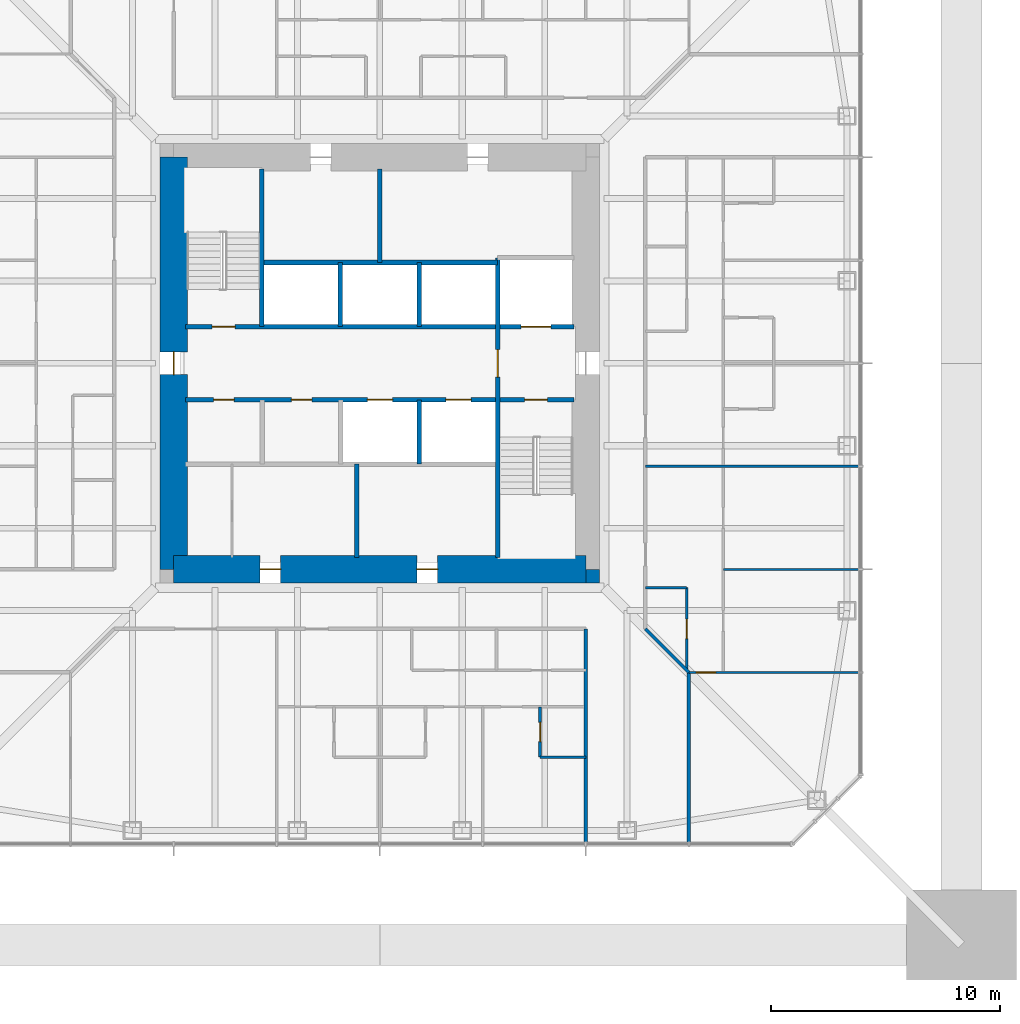
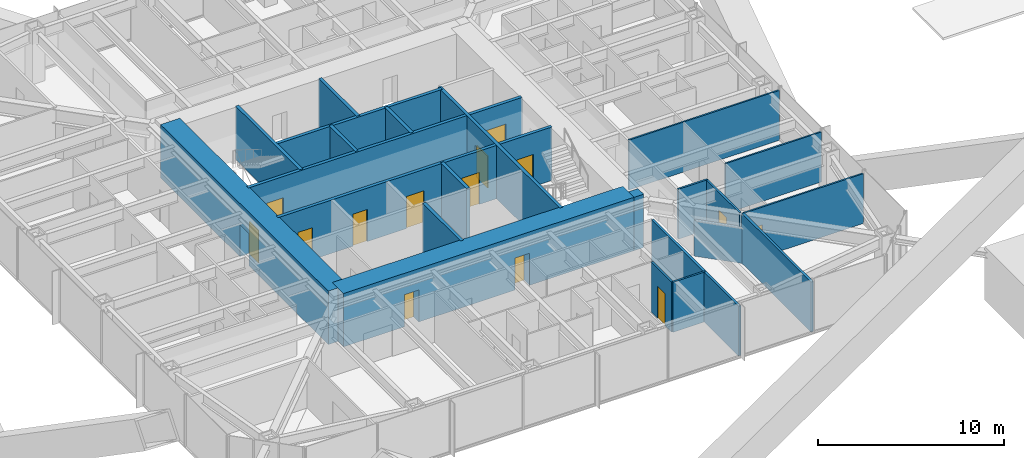
# One storey, part 11 of 17: 23 walls, 14 doors, 14 openings.
"""IFC4 building model written with IfcOpenShell, lengths in metres."""

from ifc_helpers import new_model, si_unit, direction, frame, frame_2d, origin, place, context, subcontext, project, spatial, rectangle, extrude, material, layer, layer_set, type_object, element, fill, save


model = new_model("IFC4")

# Units and contexts
model_context = context("Model", 3, precision=1e-05, world=origin(), true_north=direction((0.0, 1.0)))
body_context = subcontext(model_context, "Body", "Model", "MODEL_VIEW")
ifc_project = project(units=[si_unit("LENGTHUNIT", "METRE"), si_unit("AREAUNIT", "SQUARE_METRE"), si_unit("VOLUMEUNIT", "CUBIC_METRE"), si_unit("PLANEANGLEUNIT", "RADIAN"), si_unit("MASSUNIT", "GRAM", prefix="KILO")], contexts=[model_context])

# Site, building, storey
site_placement = place(None, origin())
site = spatial("IfcSite", under=ifc_project, at=site_placement, CompositionType="ELEMENT")
building_placement = place(site_placement, origin())
building = spatial("IfcBuilding", under=site, at=building_placement, Name="Iwan Alto Co-Living Towers", CompositionType="ELEMENT")
storey_placement = place(building_placement, frame((0.0, 0.0, 133.0)))
storey = spatial("IfcBuildingStorey", under=building, at=storey_placement, Name="L36", CompositionType="ELEMENT", Elevation=133.0)

# Walls
ifc_material_1 = material(Name="Gypsum board")
ifc_layer_1 = layer(ifc_material_1, 0.02490234375, Name="Board", Category="Finish")
ifc_material_2 = material(Name="Steel ASTM A1003 ST33H cold-formed studs", Category="steel")
ifc_layer_2 = layer(ifc_material_2, 0.10009765625, Name="Studs", Category="Framing")
ifc_layer_3 = layer(ifc_material_1, 0.02490234375, Name="Board", Category="Finish")
ifc_layer_set_1 = layer_set([ifc_layer_1, ifc_layer_2, ifc_layer_3], Name="CORRIDOR WALL 150")
wall_type_1 = type_object("IfcWallType", Name="CORRIDOR WALL 150", PredefinedType="PARTITIONING", material=ifc_layer_set_1)
wall_1_placement = place(storey_placement, frame((13.5, -20.93994140625, 0.0), z_axis=(0.0, 0.0, 1.0), x_axis=(0.0, 1.0, 0.0)))
element("IfcWall", 1, at=wall_1_placement, inside=storey, type_object=wall_type_1, Name="Partition L36", PredefinedType="PARTITIONING", context=body_context, shape_type="SweptSolid", body=[
    extrude(rectangle(XDim=7.43994140625, YDim=0.14990234375, at=frame_2d((3.719970703125, 0.0))), origin(), (0.0, 0.0, 1.0), 3.27001953125),
])
wall_2_placement = place(storey_placement, frame((9.0, -20.93994140625, 0.0), z_axis=(0.0, 0.0, 1.0), x_axis=(0.0, 1.0, 0.0)))
element("IfcWall", 2, at=wall_2_placement, inside=storey, type_object=wall_type_1, Name="Partition L36", PredefinedType="PARTITIONING", context=body_context, shape_type="SweptSolid", body=[
    extrude(rectangle(XDim=9.33984375, YDim=0.14990234375, at=frame_2d((4.669921875, 0.0))), origin(), (0.0, 0.0, 1.0), 3.27001953125),
])
wall_3_placement = place(storey_placement, frame((13.5, -13.5, 0.0), z_axis=(0.0, 0.0, 1.0), x_axis=(-0.707106781187, 0.707106781187, 0.0)))
element("IfcWall", 3, at=wall_3_placement, inside=storey, type_object=wall_type_1, Name="Partition L36", PredefinedType="PARTITIONING", context=body_context, shape_type="SweptSolid", body=[
    extrude(rectangle(XDim=2.686767578125, YDim=0.14990234375, at=frame_2d((1.34326171875, 0.0))), origin(), (0.0, 0.0, 1.0), 2.343017578125),
])

# Wall, opening, door
ifc_layer_4 = layer(ifc_material_1, 0.012451171875, Name="Board", Category="Finish")
ifc_layer_5 = layer(ifc_material_2, 0.074951171875, Name="Studs", Category="Framing")
ifc_layer_6 = layer(ifc_material_1, 0.012451171875, Name="Board", Category="Finish")
ifc_layer_set_2 = layer_set([ifc_layer_4, ifc_layer_5, ifc_layer_6], Name="PARTITION 100")
wall_type_2 = type_object("IfcWallType", Name="PARTITION 100", PredefinedType="PARTITIONING", material=ifc_layer_set_2)
wall_4_placement = place(storey_placement, frame((13.5, -13.5, 0.0), z_axis=(0.0, 0.0, 1.0), x_axis=(1.0, 0.0, 0.0)))
wall_4 = element("IfcWall", 4, at=wall_4_placement, inside=storey, type_object=wall_type_2, Name="Partition L36", PredefinedType="PARTITIONING", context=body_context, shape_type="SweptSolid", body=[
    extrude(rectangle(XDim=7.43994140625, YDim=0.10009765625, at=frame_2d((3.719970703125, 0.0))), origin(), (0.0, 0.0, 1.0), 3.27001953125),
])
opening_1_placement = place(wall_4_placement, frame((0.324951171875, 0.0, 0.0)))
opening_1 = element("IfcOpeningElement", 5, at=opening_1_placement, cuts=wall_4, Name="Opening D2", PredefinedType="OPENING", context=body_context, shape_type="SweptSolid", body=[
    extrude(rectangle(XDim=0.85009765625, YDim=2.10009765625, at=frame_2d((0.425048828125, 1.050048828125))), frame((0.0, 0.06005859375, 0.0), z_axis=(0.0, -1.0, 0.0), x_axis=(1.0, 0.0, 0.0)), (0.0, 0.0, 1.0), 0.1201171875),
])
ifc_material_3 = material(Name="Timber leaf in steel frame", Category="steel")
door_type_1 = type_object("IfcDoorType", Name="ROOM DOOR 850X2100", OperationType="SINGLE_SWING_LEFT", PredefinedType="DOOR", material=ifc_material_3)
door_1_placement = place(opening_1_placement, frame((0.85009765625, 0.0, 0.0), z_axis=(0.0, 0.0, 1.0), x_axis=(-1.0, 0.0, 0.0)))
door_1 = element("IfcDoor", 6, at=door_1_placement, inside=storey, type_object=door_type_1, Name="Shared kitchen and lounge door L36", OperationType="SINGLE_SWING_RIGHT", OverallHeight=2.10009765625, OverallWidth=0.85009765625, PredefinedType="DOOR", context=body_context, shape_type="SweptSolid", body=[
    extrude(rectangle(XDim=0.85009765625, YDim=2.10009765625, at=frame_2d((0.425048828125, 1.050048828125))), frame((0.0, 0.02490234375, 0.0), z_axis=(0.0, -1.0, 0.0), x_axis=(1.0, 0.0, 0.0)), (0.0, 0.0, 1.0), 0.050048828125),
])
fill(opening_1, door_1)

# Walls
wall_5_placement = place(storey_placement, frame((15.0, -9.0, 0.0), z_axis=(0.0, 0.0, 1.0), x_axis=(1.0, 0.0, 0.0)))
element("IfcWall", 7, at=wall_5_placement, inside=storey, type_object=wall_type_2, Name="Partition L36", PredefinedType="PARTITIONING", context=body_context, shape_type="SweptSolid", body=[
    extrude(rectangle(XDim=5.93994140625, YDim=0.10009765625, at=frame_2d((2.969970703125, 0.0))), origin(), (0.0, 0.0, 1.0), 3.27001953125),
])
wall_6_placement = place(storey_placement, frame((11.60009765625, -4.5, 0.0), z_axis=(0.0, 0.0, 1.0), x_axis=(1.0, 0.0, 0.0)))
element("IfcWall", 8, at=wall_6_placement, inside=storey, type_object=wall_type_2, Name="Partition L36", PredefinedType="PARTITIONING", context=body_context, shape_type="SweptSolid", body=[
    extrude(rectangle(XDim=9.33984375, YDim=0.10009765625, at=frame_2d((4.669921875, 0.0))), origin(), (0.0, 0.0, 1.0), 3.27001953125),
])

# Wall, openings, doors
ifc_material_4 = material(Name="Concrete f'c 70 MPa", Category="concrete")
ifc_layer_7 = layer(ifc_material_4, 0.199951171875)
ifc_layer_set_3 = layer_set([ifc_layer_7], Name="SHAFT WALL 200")
wall_type_3 = type_object("IfcWallType", Name="SHAFT WALL 200", PredefinedType="SOLIDWALL", material=ifc_layer_set_3)
wall_7_placement = place(storey_placement, frame((-8.489990234375, -1.60009765625, 0.0), z_axis=(0.0, 0.0, 1.0), x_axis=(1.0, 0.0, 0.0)))
wall_7 = element("IfcWall", 9, at=wall_7_placement, inside=storey, type_object=wall_type_3, Name="Shaft wall L36", PredefinedType="SOLIDWALL", context=body_context, shape_type="SweptSolid", body=[
    extrude(rectangle(XDim=16.97998046875, YDim=0.199951171875, at=frame_2d((8.489990234375, 0.0))), origin(), (0.0, 0.0, 1.0), 3.5),
])
opening_2_placement = place(wall_7_placement, frame((14.81005859375, 0.0, 0.0)))
opening_2 = element("IfcOpeningElement", 10, at=opening_2_placement, cuts=wall_7, Name="Opening D5", PredefinedType="OPENING", context=body_context, shape_type="SweptSolid", body=[
    extrude(rectangle(XDim=1.0, YDim=2.10009765625, at=frame_2d((0.5, 1.050048828125))), frame((0.0, 0.10986328125, 0.0), z_axis=(0.0, -1.0, 0.0), x_axis=(1.0, 0.0, 0.0)), (0.0, 0.0, 1.0), 0.219970703125),
])
opening_3_placement = place(wall_7_placement, frame((1.23193359375, 0.0, 0.0)))
opening_3 = element("IfcOpeningElement", 11, at=opening_3_placement, cuts=wall_7, Name="Opening D15", PredefinedType="OPENING", context=body_context, shape_type="SweptSolid", body=[
    extrude(rectangle(XDim=0.89990234375, YDim=2.10009765625, at=frame_2d((0.449951171875, 1.050048828125))), frame((0.0, 0.10986328125, 0.0), z_axis=(0.0, -1.0, 0.0), x_axis=(1.0, 0.0, 0.0)), (0.0, 0.0, 1.0), 0.219970703125),
])
opening_4_placement = place(wall_7_placement, frame((4.626953125, 0.0, 0.0)))
opening_4 = element("IfcOpeningElement", 12, at=opening_4_placement, cuts=wall_7, Name="Opening D15", PredefinedType="OPENING", context=body_context, shape_type="SweptSolid", body=[
    extrude(rectangle(XDim=0.89990234375, YDim=2.10009765625, at=frame_2d((0.449951171875, 1.050048828125))), frame((0.0, 0.10986328125, 0.0), z_axis=(0.0, -1.0, 0.0), x_axis=(1.0, 0.0, 0.0)), (0.0, 0.0, 1.0), 0.219970703125),
])
opening_5_placement = place(wall_7_placement, frame((7.952880859375, 0.0, 0.0)))
opening_5 = element("IfcOpeningElement", 13, at=opening_5_placement, cuts=wall_7, Name="Opening LD", PredefinedType="OPENING", context=body_context, shape_type="SweptSolid", body=[
    extrude(rectangle(XDim=1.10009765625, YDim=2.10009765625, at=frame_2d((0.550048828125, 1.050048828125))), frame((0.0, 0.10986328125, 0.0), z_axis=(0.0, -1.0, 0.0), x_axis=(1.0, 0.0, 0.0)), (0.0, 0.0, 1.0), 0.219970703125),
])
opening_6_placement = place(wall_7_placement, frame((11.3779296875, 0.0, 0.0)))
opening_6 = element("IfcOpeningElement", 14, at=opening_6_placement, cuts=wall_7, Name="Opening LD", PredefinedType="OPENING", context=body_context, shape_type="SweptSolid", body=[
    extrude(rectangle(XDim=1.10009765625, YDim=2.10009765625, at=frame_2d((0.550048828125, 1.050048828125))), frame((0.0, 0.10986328125, 0.0), z_axis=(0.0, -1.0, 0.0), x_axis=(1.0, 0.0, 0.0)), (0.0, 0.0, 1.0), 0.219970703125),
])
ifc_material_5 = material(Name="Steel frame with timber leaf", Category="steel")
door_type_2 = type_object("IfcDoorType", Name="CORE ROOM DOOR FD60S 900X2100", OperationType="SINGLE_SWING_LEFT", PredefinedType="DOOR", material=ifc_material_5)
door_2_placement = place(opening_3_placement, frame((0.89990234375, 0.0, 0.0), z_axis=(0.0, 0.0, 1.0), x_axis=(-1.0, 0.0, 0.0)))
door_2 = element("IfcDoor", 15, at=door_2_placement, inside=storey, type_object=door_type_2, Name="Guest pantry door L36", OperationType="SINGLE_SWING_LEFT", OverallHeight=2.10009765625, OverallWidth=0.89990234375, PredefinedType="DOOR", context=body_context, shape_type="SweptSolid", body=[
    extrude(rectangle(XDim=0.89990234375, YDim=2.10009765625, at=frame_2d((0.449951171875, 1.050048828125))), frame((0.0, 0.02490234375, 0.0), z_axis=(0.0, -1.0, 0.0), x_axis=(1.0, 0.0, 0.0)), (0.0, 0.0, 1.0), 0.050048828125),
])
fill(opening_3, door_2)
door_3_placement = place(opening_4_placement, frame((0.89990234375, 0.0, 0.0), z_axis=(0.0, 0.0, 1.0), x_axis=(-1.0, 0.0, 0.0)))
door_3 = element("IfcDoor", 16, at=door_3_placement, inside=storey, type_object=door_type_2, Name="Staff WC door L36", OperationType="SINGLE_SWING_RIGHT", OverallHeight=2.10009765625, OverallWidth=0.89990234375, PredefinedType="DOOR", context=body_context, shape_type="SweptSolid", body=[
    extrude(rectangle(XDim=0.89990234375, YDim=2.10009765625, at=frame_2d((0.449951171875, 1.050048828125))), frame((0.0, 0.02490234375, 0.0), z_axis=(0.0, -1.0, 0.0), x_axis=(1.0, 0.0, 0.0)), (0.0, 0.0, 1.0), 0.050048828125),
])
fill(opening_4, door_3)
ifc_material_6 = material(Name="Steel frame with timber leaf", Category="steel")
door_type_3 = type_object("IfcDoorType", Name="LIFT LANDING DOOR 1100X2100", OperationType="DOUBLE_DOOR_SLIDING", PredefinedType="DOOR", material=ifc_material_6)
door_4_placement = place(opening_5_placement, origin())
door_4 = element("IfcDoor", 17, at=door_4_placement, inside=storey, type_object=door_type_3, Name="Lift P2-3 landing door L36", OperationType="DOUBLE_DOOR_SLIDING", OverallHeight=2.10009765625, OverallWidth=1.10009765625, PredefinedType="DOOR", context=body_context, shape_type="SweptSolid", body=[
    extrude(rectangle(XDim=1.10009765625, YDim=2.10009765625, at=frame_2d((0.550048828125, 1.050048828125))), frame((0.0, 0.02490234375, 0.0), z_axis=(0.0, -1.0, 0.0), x_axis=(1.0, 0.0, 0.0)), (0.0, 0.0, 1.0), 0.050048828125),
])
fill(opening_5, door_4)
door_5_placement = place(opening_6_placement, origin())
door_5 = element("IfcDoor", 18, at=door_5_placement, inside=storey, type_object=door_type_3, Name="Lift P2-4 landing door L36", OperationType="DOUBLE_DOOR_SLIDING", OverallHeight=2.10009765625, OverallWidth=1.10009765625, PredefinedType="DOOR", context=body_context, shape_type="SweptSolid", body=[
    extrude(rectangle(XDim=1.10009765625, YDim=2.10009765625, at=frame_2d((0.550048828125, 1.050048828125))), frame((0.0, 0.02490234375, 0.0), z_axis=(0.0, -1.0, 0.0), x_axis=(1.0, 0.0, 0.0)), (0.0, 0.0, 1.0), 0.050048828125),
])
fill(opening_6, door_5)
ifc_material_7 = material(Name="Steel frame with timber leaf", Category="steel")
door_type_4 = type_object("IfcDoorType", Name="STAIR DOOR FD120S 1000X2100", OperationType="SINGLE_SWING_LEFT", PredefinedType="DOOR", material=ifc_material_7)
door_6_placement = place(opening_2_placement, frame((1.0, 0.0, 0.0), z_axis=(0.0, 0.0, 1.0), x_axis=(-1.0, 0.0, 0.0)))
door_6 = element("IfcDoor", 19, at=door_6_placement, inside=storey, type_object=door_type_4, Name="Stair S2 door L36", OperationType="SINGLE_SWING_RIGHT", OverallHeight=2.10009765625, OverallWidth=1.0, PredefinedType="DOOR", context=body_context, shape_type="SweptSolid", body=[
    extrude(rectangle(XDim=1.0, YDim=2.10009765625, at=frame_2d((0.5, 1.050048828125))), frame((0.0, 0.02490234375, 0.0), z_axis=(0.0, -1.0, 0.0), x_axis=(1.0, 0.0, 0.0)), (0.0, 0.0, 1.0), 0.050048828125),
])
fill(opening_2, door_6)

wall_8_placement = place(storey_placement, frame((-8.489990234375, 1.60009765625, 0.0), z_axis=(0.0, 0.0, 1.0), x_axis=(1.0, 0.0, 0.0)))
wall_8 = element("IfcWall", 20, at=wall_8_placement, inside=storey, type_object=wall_type_3, Name="Shaft wall L36", PredefinedType="SOLIDWALL", context=body_context, shape_type="SweptSolid", body=[
    extrude(rectangle(XDim=16.97998046875, YDim=0.199951171875, at=frame_2d((8.489990234375, 0.0))), origin(), (0.0, 0.0, 1.0), 3.5),
])
opening_7_placement = place(wall_8_placement, frame((1.169921875, 0.0, 0.0)))
opening_7 = element("IfcOpeningElement", 21, at=opening_7_placement, cuts=wall_8, Name="Opening D5", PredefinedType="OPENING", context=body_context, shape_type="SweptSolid", body=[
    extrude(rectangle(XDim=1.0, YDim=2.10009765625, at=frame_2d((0.5, 1.050048828125))), frame((0.0, 0.10986328125, 0.0), z_axis=(0.0, -1.0, 0.0), x_axis=(1.0, 0.0, 0.0)), (0.0, 0.0, 1.0), 0.219970703125),
])
opening_8_placement = place(wall_8_placement, frame((14.659912109375, 0.0, 0.0)))
opening_8 = element("IfcOpeningElement", 22, at=opening_8_placement, cuts=wall_8, Name="Opening LD2", PredefinedType="OPENING", context=body_context, shape_type="SweptSolid", body=[
    extrude(rectangle(XDim=1.300048828125, YDim=2.10009765625, at=frame_2d((0.64990234375, 1.050048828125))), frame((0.0, 0.10986328125, 0.0), z_axis=(0.0, -1.0, 0.0), x_axis=(1.0, 0.0, 0.0)), (0.0, 0.0, 1.0), 0.219970703125),
])
ifc_material_8 = material(Name="Steel frame with timber leaf", Category="steel")
door_type_5 = type_object("IfcDoorType", Name="LIFT LANDING DOOR 1300X2100", OperationType="SLIDING_TO_LEFT", PredefinedType="DOOR", material=ifc_material_8)
door_7_placement = place(opening_8_placement, origin())
door_7 = element("IfcDoor", 23, at=door_7_placement, inside=storey, type_object=door_type_5, Name="Lift FL1 landing door L36", OperationType="SLIDING_TO_LEFT", OverallHeight=2.10009765625, OverallWidth=1.300048828125, PredefinedType="DOOR", context=body_context, shape_type="SweptSolid", body=[
    extrude(rectangle(XDim=1.300048828125, YDim=2.10009765625, at=frame_2d((0.64990234375, 1.050048828125))), frame((0.0, 0.02490234375, 0.0), z_axis=(0.0, -1.0, 0.0), x_axis=(1.0, 0.0, 0.0)), (0.0, 0.0, 1.0), 0.050048828125),
])
fill(opening_8, door_7)
door_8_placement = place(opening_7_placement, origin())
door_8 = element("IfcDoor", 24, at=door_8_placement, inside=storey, type_object=door_type_4, Name="Stair S1 door L36", OperationType="SINGLE_SWING_RIGHT", OverallHeight=2.10009765625, OverallWidth=1.0, PredefinedType="DOOR", context=body_context, shape_type="SweptSolid", body=[
    extrude(rectangle(XDim=1.0, YDim=2.10009765625, at=frame_2d((0.5, 1.050048828125))), frame((0.0, 0.02490234375, 0.0), z_axis=(0.0, -1.0, 0.0), x_axis=(1.0, 0.0, 0.0)), (0.0, 0.0, 1.0), 0.050048828125),
])
fill(opening_7, door_8)

# Wall
wall_9_placement = place(storey_placement, frame((-5.14990234375, 4.39990234375, 0.0), z_axis=(0.0, 0.0, 1.0), x_axis=(1.0, 0.0, 0.0)))
element("IfcWall", 25, at=wall_9_placement, inside=storey, type_object=wall_type_3, Name="Shaft wall L36", PredefinedType="SOLIDWALL", context=body_context, shape_type="SweptSolid", body=[
    extrude(rectangle(XDim=10.2998046875, YDim=0.199951171875, at=frame_2d((5.14990234375, 0.0))), origin(), (0.0, 0.0, 1.0), 3.5),
])

# Wall, opening, door
wall_10_placement = place(storey_placement, frame((5.14990234375, -8.489990234375, 0.0), z_axis=(0.0, 0.0, 1.0), x_axis=(0.0, 1.0, 0.0)))
wall_10 = element("IfcWall", 26, at=wall_10_placement, inside=storey, type_object=wall_type_3, Name="Shaft wall L36", PredefinedType="SOLIDWALL", context=body_context, shape_type="SweptSolid", body=[
    extrude(rectangle(XDim=13.090087890625, YDim=0.199951171875, at=frame_2d((6.544921875, 0.0))), origin(), (0.0, 0.0, 1.0), 3.5),
])
opening_9_placement = place(wall_10_placement, frame((7.889892578125, 0.0, 0.0)))
opening_9 = element("IfcOpeningElement", 27, at=opening_9_placement, cuts=wall_10, Name="Opening D6", PredefinedType="OPENING", context=body_context, shape_type="SweptSolid", body=[
    extrude(rectangle(XDim=1.199951171875, YDim=2.10009765625, at=frame_2d((0.60009765625, 1.050048828125))), frame((0.0, 0.10986328125, 0.0), z_axis=(0.0, -1.0, 0.0), x_axis=(1.0, 0.0, 0.0)), (0.0, 0.0, 1.0), 0.219970703125),
])
ifc_material_9 = material(Name="Steel frame with timber leaf", Category="steel")
door_type_6 = type_object("IfcDoorType", Name="LOBBY DOOR FD120S 1200X2100", OperationType="SINGLE_SWING_LEFT", PredefinedType="DOOR", material=ifc_material_9)
door_9_placement = place(opening_9_placement, frame((1.199951171875, 0.0, 0.0), z_axis=(0.0, 0.0, 1.0), x_axis=(-1.0, 0.0, 0.0)))
door_9 = element("IfcDoor", 28, at=door_9_placement, inside=storey, type_object=door_type_6, Name="Firefighting lobby door L36", OperationType="SINGLE_SWING_RIGHT", OverallHeight=2.10009765625, OverallWidth=1.199951171875, PredefinedType="DOOR", context=body_context, shape_type="SweptSolid", body=[
    extrude(rectangle(XDim=1.199951171875, YDim=2.10009765625, at=frame_2d((0.60009765625, 1.050048828125))), frame((0.0, 0.02490234375, 0.0), z_axis=(0.0, -1.0, 0.0), x_axis=(1.0, 0.0, 0.0)), (0.0, 0.0, 1.0), 0.050048828125),
])
fill(opening_9, door_9)

# Walls
for number, where, z_axis, x_axis, name in (
    (29, (1.72509765625, -4.39990234375, 0.0), (0.0, 0.0, 1.0), (0.0, 1.0, 0.0), "Shaft wall L36"),
    (30, (1.717041015625, 1.60009765625, 0.0), (0.0, 0.0, 1.0), (0.0, 1.0, 0.0), "Shaft wall L36"),
):
    element("IfcWall", number, at=place(storey_placement, frame(where, z_axis=z_axis, x_axis=x_axis)), inside=storey, type_object=wall_type_3, Name=name, PredefinedType="SOLIDWALL", context=body_context, shape_type="SweptSolid", body=[
        extrude(rectangle(XDim=2.7998046875, YDim=0.199951171875, at=frame_2d((1.39990234375, 0.0))), origin(), (0.0, 0.0, 1.0), 3.5),
    ])
for number, where, z_axis, x_axis, name in (
    (31, (0.0, 4.39990234375, 0.0), (0.0, 0.0, 1.0), (0.0, 1.0, 0.0), "Shaft wall L36"),
    (32, (-1.0, -8.489990234375, 0.0), (0.0, 0.0, 1.0), (0.0, 1.0, 0.0), "Shaft wall L36"),
):
    element("IfcWall", number, at=place(storey_placement, frame(where, z_axis=z_axis, x_axis=x_axis)), inside=storey, type_object=wall_type_3, Name=name, PredefinedType="SOLIDWALL", context=body_context, shape_type="SweptSolid", body=[
        extrude(rectangle(XDim=4.090087890625, YDim=0.199951171875, at=frame_2d((2.044921875, 0.0))), origin(), (0.0, 0.0, 1.0), 3.5),
    ])
wall_11_placement = place(storey_placement, frame((-1.717041015625, 1.60009765625, 0.0), z_axis=(0.0, 0.0, 1.0), x_axis=(0.0, 1.0, 0.0)))
element("IfcWall", 33, at=wall_11_placement, inside=storey, type_object=wall_type_3, Name="Shaft wall L36", PredefinedType="SOLIDWALL", context=body_context, shape_type="SweptSolid", body=[
    extrude(rectangle(XDim=2.7998046875, YDim=0.199951171875, at=frame_2d((1.39990234375, 0.0))), origin(), (0.0, 0.0, 1.0), 3.5),
])
wall_12_placement = place(storey_placement, frame((-5.14990234375, 1.60009765625, 0.0), z_axis=(0.0, 0.0, 1.0), x_axis=(0.0, 1.0, 0.0)))
element("IfcWall", 34, at=wall_12_placement, inside=storey, type_object=wall_type_3, Name="Shaft wall L36", PredefinedType="SOLIDWALL", context=body_context, shape_type="SweptSolid", body=[
    extrude(rectangle(XDim=6.889892578125, YDim=0.199951171875, at=frame_2d((3.44482421875, 0.0))), origin(), (0.0, 0.0, 1.0), 3.5),
])
ifc_material_10 = material(Name="Concrete f'c 70 MPa", Category="concrete")
ifc_layer_8 = layer(ifc_material_10, 0.60009765625)
ifc_layer_set_4 = layer_set([ifc_layer_8], Name="T1 CORE CORNER FILL 600")
wall_type_4 = type_object("IfcWallType", Name="T1 CORE CORNER FILL 600", PredefinedType="SOLIDWALL", material=ifc_layer_set_4)
wall_13_placement = place(storey_placement, frame((9.0, -9.300048828125, 0.0), z_axis=(0.0, 0.0, 1.0), x_axis=(1.0, 0.0, 0.0)))
element("IfcWall", 35, at=wall_13_placement, inside=storey, type_object=wall_type_4, Name="T1 core corner SE L36", PredefinedType="SOLIDWALL", context=body_context, shape_type="SweptSolid", body=[
    extrude(rectangle(XDim=0.60009765625, YDim=0.60009765625, at=frame_2d((0.300048828125, 0.0))), origin(), (0.0, 0.0, 1.0), 3.5),
])

# Wall, openings, doors
ifc_material_11 = material(Name="Concrete f'c 70 MPa", Category="concrete")
ifc_layer_9 = layer(ifc_material_11, 1.199951171875)
ifc_layer_set_5 = layer_set([ifc_layer_9], Name="T1 CORE WALL 1200")
wall_type_5 = type_object("IfcWallType", Name="T1 CORE WALL 1200", PredefinedType="SHEAR", material=ifc_layer_set_5)
wall_14_placement = place(storey_placement, frame((-9.0, -9.0, 0.0), z_axis=(0.0, 0.0, 1.0), x_axis=(1.0, 0.0, 0.0)))
wall_14 = element("IfcWall", 36, at=wall_14_placement, inside=storey, type_object=wall_type_5, Name="T1 core wall S L36", PredefinedType="SHEAR", context=body_context, shape_type="SweptSolid", body=[
    extrude(rectangle(XDim=18.0, YDim=1.199951171875, at=frame_2d((9.0, 0.0))), origin(), (0.0, 0.0, 1.0), 3.5),
])
opening_10_placement = place(wall_14_placement, frame((3.77490234375, 0.0, 0.0)))
opening_10 = element("IfcOpeningElement", 37, at=opening_10_placement, cuts=wall_14, Name="Opening D8", PredefinedType="OPENING", context=body_context, shape_type="SweptSolid", body=[
    extrude(rectangle(XDim=0.89990234375, YDim=2.10009765625, at=frame_2d((0.449951171875, 1.050048828125))), frame((0.0, 0.60986328125, 0.0), z_axis=(0.0, -1.0, 0.0), x_axis=(1.0, 0.0, 0.0)), (0.0, 0.0, 1.0), 1.219970703125),
])
opening_11_placement = place(wall_14_placement, frame((10.625, 0.0, 0.0)))
opening_11 = element("IfcOpeningElement", 38, at=opening_11_placement, cuts=wall_14, Name="Opening D8", PredefinedType="OPENING", context=body_context, shape_type="SweptSolid", body=[
    extrude(rectangle(XDim=0.89990234375, YDim=2.10009765625, at=frame_2d((0.449951171875, 1.050048828125))), frame((0.0, 0.60986328125, 0.0), z_axis=(0.0, -1.0, 0.0), x_axis=(1.0, 0.0, 0.0)), (0.0, 0.0, 1.0), 1.219970703125),
])
ifc_material_12 = material(Name="Steel frame with timber leaf", Category="steel")
door_type_7 = type_object("IfcDoorType", Name="RISER DOOR FD120 900X2100", OperationType="SINGLE_SWING_LEFT", PredefinedType="DOOR", material=ifc_material_12)
door_10_placement = place(opening_10_placement, origin())
door_10 = element("IfcDoor", 39, at=door_10_placement, inside=storey, type_object=door_type_7, Name="Refuse room core door L36", OperationType="SINGLE_SWING_LEFT", OverallHeight=2.10009765625, OverallWidth=0.89990234375, PredefinedType="DOOR", context=body_context, shape_type="SweptSolid", body=[
    extrude(rectangle(XDim=0.89990234375, YDim=2.10009765625, at=frame_2d((0.449951171875, 1.050048828125))), frame((0.0, 0.02490234375, 0.0), z_axis=(0.0, -1.0, 0.0), x_axis=(1.0, 0.0, 0.0)), (0.0, 0.0, 1.0), 0.050048828125),
])
fill(opening_10, door_10)
door_11_placement = place(opening_11_placement, origin())
door_11 = element("IfcDoor", 40, at=door_11_placement, inside=storey, type_object=door_type_7, Name="Telecom riser core door L36", OperationType="SINGLE_SWING_LEFT", OverallHeight=2.10009765625, OverallWidth=0.89990234375, PredefinedType="DOOR", context=body_context, shape_type="SweptSolid", body=[
    extrude(rectangle(XDim=0.89990234375, YDim=2.10009765625, at=frame_2d((0.449951171875, 1.050048828125))), frame((0.0, 0.02490234375, 0.0), z_axis=(0.0, -1.0, 0.0), x_axis=(1.0, 0.0, 0.0)), (0.0, 0.0, 1.0), 0.050048828125),
])
fill(opening_11, door_11)

# Wall, opening, door
wall_15_placement = place(storey_placement, frame((-9.0, 9.0, 0.0), z_axis=(0.0, 0.0, 1.0), x_axis=(0.0, -1.0, 0.0)))
wall_15 = element("IfcWall", 41, at=wall_15_placement, inside=storey, type_object=wall_type_5, Name="T1 core wall W L36", PredefinedType="SHEAR", context=body_context, shape_type="SweptSolid", body=[
    extrude(rectangle(XDim=18.0, YDim=1.199951171875, at=frame_2d((9.0, 0.0))), origin(), (0.0, 0.0, 1.0), 3.5),
])
opening_12_placement = place(wall_15_placement, frame((8.5, 0.0, 0.0)))
opening_12 = element("IfcOpeningElement", 42, at=opening_12_placement, cuts=wall_15, Name="Opening D7", PredefinedType="OPENING", context=body_context, shape_type="SweptSolid", body=[
    extrude(rectangle(XDim=1.0, YDim=2.10009765625, at=frame_2d((0.5, 1.050048828125))), frame((0.0, 0.60986328125, 0.0), z_axis=(0.0, -1.0, 0.0), x_axis=(1.0, 0.0, 0.0)), (0.0, 0.0, 1.0), 1.219970703125),
])
ifc_material_13 = material(Name="Steel frame with timber leaf", Category="steel")
door_type_8 = type_object("IfcDoorType", Name="CORE DOOR FD120S 1000X2100", OperationType="SINGLE_SWING_LEFT", PredefinedType="DOOR", material=ifc_material_13)
door_12_placement = place(opening_12_placement, origin())
door_12 = element("IfcDoor", 43, at=door_12_placement, inside=storey, type_object=door_type_8, Name="Lift lobby core door L36", OperationType="SINGLE_SWING_RIGHT", OverallHeight=2.10009765625, OverallWidth=1.0, PredefinedType="DOOR", context=body_context, shape_type="SweptSolid", body=[
    extrude(rectangle(XDim=1.0, YDim=2.10009765625, at=frame_2d((0.5, 1.050048828125))), frame((0.0, 0.02490234375, 0.0), z_axis=(0.0, -1.0, 0.0), x_axis=(1.0, 0.0, 0.0)), (0.0, 0.0, 1.0), 0.050048828125),
])
fill(opening_12, door_12)

# Walls
ifc_material_14 = material(Name="Cement board")
ifc_layer_10 = layer(ifc_material_14, 0.012451171875, Name="Board", Category="Finish")
ifc_layer_11 = layer(ifc_material_2, 0.094970703125, Name="Studs", Category="Framing")
ifc_layer_12 = layer(ifc_material_14, 0.012451171875, Name="Board", Category="Finish")
ifc_layer_set_6 = layer_set([ifc_layer_10, ifc_layer_11, ifc_layer_12], Name="WET AREA PARTITION 120")
wall_type_6 = type_object("IfcWallType", Name="WET AREA PARTITION 120", PredefinedType="PARTITIONING", material=ifc_layer_set_6)
wall_16_placement = place(storey_placement, frame((7.0, -17.199951171875, 0.0), z_axis=(0.0, 0.0, 1.0), x_axis=(1.0, 0.0, 0.0)))
element("IfcWall", 44, at=wall_16_placement, inside=storey, type_object=wall_type_6, Name="Partition L36", PredefinedType="PARTITIONING", context=body_context, shape_type="SweptSolid", body=[
    extrude(rectangle(XDim=2.0, YDim=0.1201171875, at=frame_2d((1.0, 0.0))), origin(), (0.0, 0.0, 1.0), 3.27001953125),
])
wall_17_placement = place(storey_placement, frame((11.60009765625, -9.800048828125, 0.0), z_axis=(0.0, 0.0, 1.0), x_axis=(1.0, 0.0, 0.0)))
element("IfcWall", 45, at=wall_17_placement, inside=storey, type_object=wall_type_6, Name="Partition L36", PredefinedType="PARTITIONING", context=body_context, shape_type="SweptSolid", body=[
    extrude(rectangle(XDim=1.7998046875, YDim=0.1201171875, at=frame_2d((0.89990234375, 0.0))), origin(), (0.0, 0.0, 1.0), 3.27001953125),
])

# Wall, opening, door
wall_18_placement = place(storey_placement, frame((13.39990234375, -13.39990234375, 0.0), z_axis=(0.0, 0.0, 1.0), x_axis=(0.0, 1.0, 0.0)))
wall_18 = element("IfcWall", 46, at=wall_18_placement, inside=storey, type_object=wall_type_6, Name="Partition L36", PredefinedType="PARTITIONING", context=body_context, shape_type="SweptSolid", body=[
    extrude(rectangle(XDim=3.599853515625, YDim=0.1201171875, at=frame_2d((1.7998046875, 0.0))), origin(), (0.0, 0.0, 1.0), 3.27001953125),
])
opening_13_placement = place(wall_18_placement, frame((1.375, 0.0, 0.0)))
opening_13 = element("IfcOpeningElement", 47, at=opening_13_placement, cuts=wall_18, Name="Opening D2", PredefinedType="OPENING", context=body_context, shape_type="SweptSolid", body=[
    extrude(rectangle(XDim=0.85009765625, YDim=2.10009765625, at=frame_2d((0.425048828125, 1.050048828125))), frame((0.0, 0.070068359375, 0.0), z_axis=(0.0, -1.0, 0.0), x_axis=(1.0, 0.0, 0.0)), (0.0, 0.0, 1.0), 0.14013671875),
])
door_13_placement = place(opening_13_placement, frame((0.85009765625, 0.0, 0.0), z_axis=(0.0, 0.0, 1.0), x_axis=(-1.0, 0.0, 0.0)))
door_13 = element("IfcDoor", 48, at=door_13_placement, inside=storey, type_object=door_type_1, Name="Bathroom door L36", OperationType="SINGLE_SWING_RIGHT", OverallHeight=2.10009765625, OverallWidth=0.85009765625, PredefinedType="DOOR", context=body_context, shape_type="SweptSolid", body=[
    extrude(rectangle(XDim=0.85009765625, YDim=2.10009765625, at=frame_2d((0.425048828125, 1.050048828125))), frame((0.0, 0.02490234375, 0.0), z_axis=(0.0, -1.0, 0.0), x_axis=(1.0, 0.0, 0.0)), (0.0, 0.0, 1.0), 0.050048828125),
])
fill(opening_13, door_13)

wall_19_placement = place(storey_placement, frame((7.0, -17.199951171875, 0.0), z_axis=(0.0, 0.0, 1.0), x_axis=(0.0, 1.0, 0.0)))
wall_19 = element("IfcWall", 49, at=wall_19_placement, inside=storey, type_object=wall_type_6, Name="Partition L36", PredefinedType="PARTITIONING", context=body_context, shape_type="SweptSolid", body=[
    extrude(rectangle(XDim=2.199951171875, YDim=0.1201171875, at=frame_2d((1.10009765625, 0.0))), origin(), (0.0, 0.0, 1.0), 3.27001953125),
])
opening_14_placement = place(wall_19_placement, frame((0.675048828125, 0.0, 0.0)))
opening_14 = element("IfcOpeningElement", 50, at=opening_14_placement, cuts=wall_19, Name="Opening D2", PredefinedType="OPENING", context=body_context, shape_type="SweptSolid", body=[
    extrude(rectangle(XDim=0.85009765625, YDim=2.10009765625, at=frame_2d((0.425048828125, 1.050048828125))), frame((0.0, 0.070068359375, 0.0), z_axis=(0.0, -1.0, 0.0), x_axis=(1.0, 0.0, 0.0)), (0.0, 0.0, 1.0), 0.14013671875),
])
door_14_placement = place(opening_14_placement, origin())
door_14 = element("IfcDoor", 51, at=door_14_placement, inside=storey, type_object=door_type_1, Name="En-suite shower room door L36", OperationType="SINGLE_SWING_RIGHT", OverallHeight=2.10009765625, OverallWidth=0.85009765625, PredefinedType="DOOR", context=body_context, shape_type="SweptSolid", body=[
    extrude(rectangle(XDim=0.85009765625, YDim=2.10009765625, at=frame_2d((0.425048828125, 1.050048828125))), frame((0.0, 0.02490234375, 0.0), z_axis=(0.0, -1.0, 0.0), x_axis=(1.0, 0.0, 0.0)), (0.0, 0.0, 1.0), 0.050048828125),
])
fill(opening_14, door_14)

save(model, "model.ifc")
